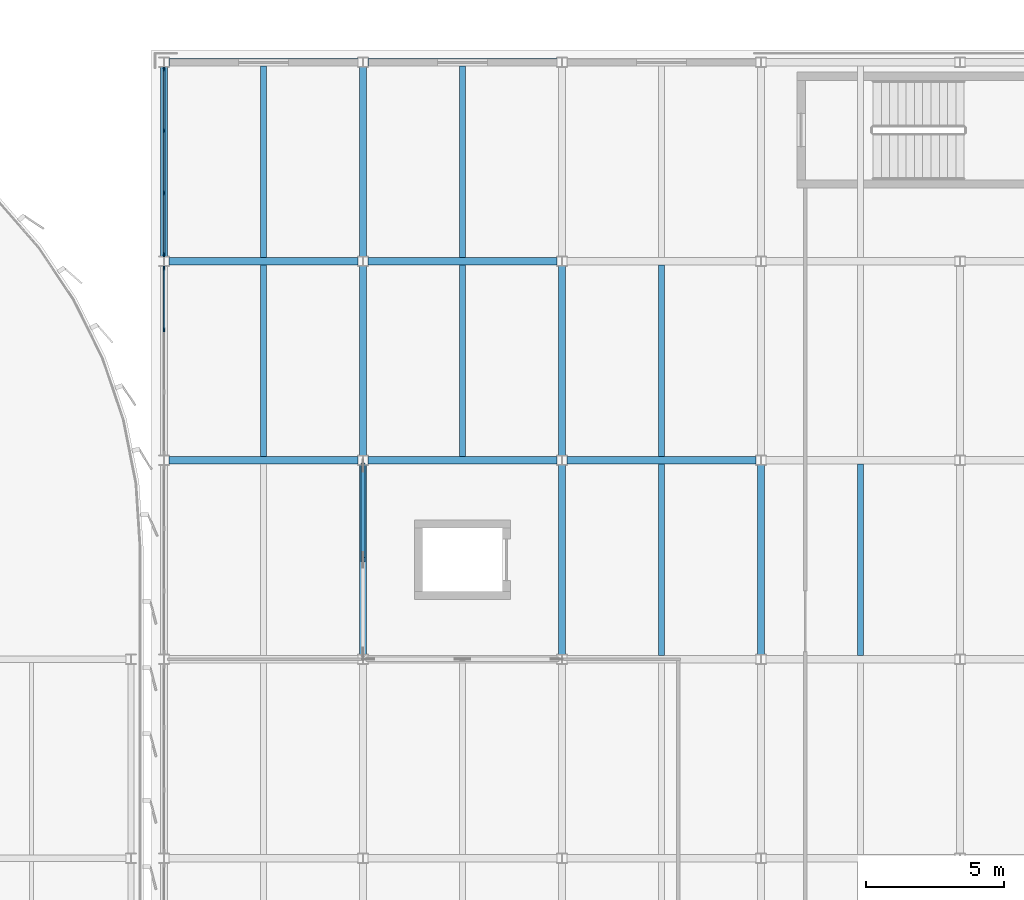
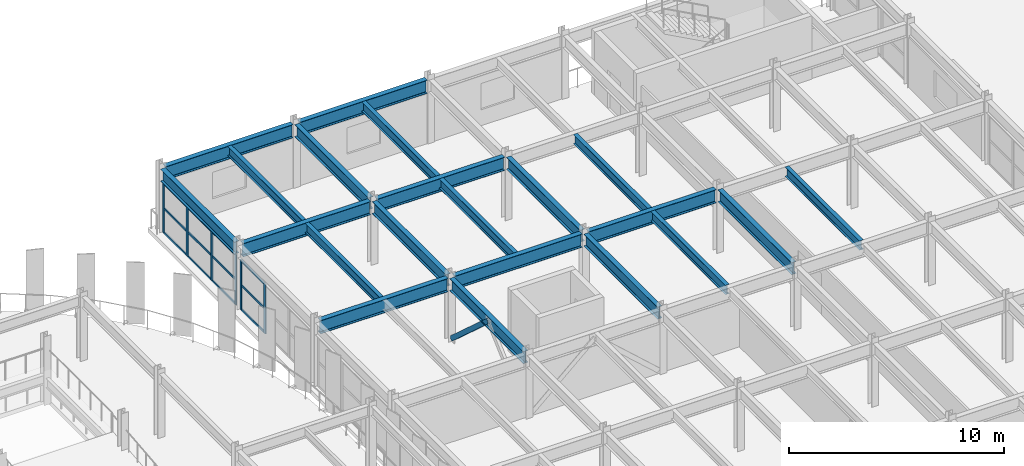
# One storey, part 36 of 80: 21 beams, 19 members, 2 elements without a shape of their own.
"""IFC4 building model written with IfcOpenShell, lengths in metres."""

from ifc_helpers import new_model, si_unit, direction, frame, origin, origin_2d, place, context, subcontext, project, spatial, rectangle, hollow_rectangle, i_section, extrude, material, material_profile, profile_set, type_object, element, aggregate, save


model = new_model("IFC4")

# Units and contexts
model_context = context("Model", 3, precision=1e-05, world=origin(), true_north=direction((0.0, 1.0)))
body_context = subcontext(model_context, "Body", "Model", "MODEL_VIEW")
ifc_project = project(units=[si_unit("LENGTHUNIT", "METRE"), si_unit("AREAUNIT", "SQUARE_METRE"), si_unit("VOLUMEUNIT", "CUBIC_METRE"), si_unit("PLANEANGLEUNIT", "RADIAN"), si_unit("MASSUNIT", "GRAM", prefix="KILO")], contexts=[model_context])

# Site, building, storey
site_placement = place(None, origin())
site = spatial("IfcSite", under=ifc_project, at=site_placement, CompositionType="ELEMENT")
building_placement = place(site_placement, origin())
building = spatial("IfcBuilding", under=site, at=building_placement, Name="Vaelcorin Mobility Hub", CompositionType="ELEMENT")
storey_placement = place(building_placement, frame((0.0, 0.0, 9.300048828125)))
storey = spatial("IfcBuildingStorey", under=building, at=storey_placement, Name="L02", CompositionType="ELEMENT", Elevation=9.300048828125)

# Beams
ifc_material_1 = material(Name="Steel ASTM A992 Grade 50", Category="steel")
ifc_material_profile_1 = material_profile(ifc_material_1, i_section(OverallWidth=0.2099609375, OverallDepth=0.532958984375, WebThickness=0.01025390625, FlangeThickness=0.015625, FilletRadius=0.013916015625, at=origin_2d()), Name="W21X62")
ifc_profile_set_1 = profile_set([ifc_material_profile_1], Name="Steel ASTM A992 Grade 50")
beam_type_1 = type_object("IfcBeamType", Name="BM-W21X62", PredefinedType="JOIST", material=ifc_profile_set_1)
for number, where, z_axis, x_axis, name in (
    (1, (157.199951171875, 105.73193359375, 3.333984375), (0.0, 1.0, 0.0), (-1.0, 0.0, 0.0), "L02 Beam V5-L02-J-01-13-1"),
    (2, (157.199951171875, 112.931884765625, 3.333984375), (0.0, 1.0, 0.0), (-1.0, 0.0, 0.0), "L02 Beam V5-L02-J-01-14-1"),
    (3, (164.39990234375, 105.73193359375, 3.333984375), (0.0, 1.0, 0.0), (-1.0, 0.0, 0.0), "L02 Beam V5-L02-J-02-13-1"),
    (4, (164.39990234375, 112.931884765625, 3.333984375), (0.0, 1.0, 0.0), (-1.0, 0.0, 0.0), "L02 Beam V5-L02-J-02-14-1"),
    (5, (171.60009765625, 98.531982421875, 3.333984375), (0.0, 1.0, 0.0), (-1.0, 0.0, 0.0), "L02 Beam V5-L02-J-03-12-1"),
    (6, (171.60009765625, 105.73193359375, 3.333984375), (0.0, 1.0, 0.0), (-1.0, 0.0, 0.0), "L02 Beam V5-L02-J-03-13-1"),
    (7, (178.800048828125, 98.531982421875, 3.333984375), (0.0, 1.0, 0.0), (-1.0, 0.0, 0.0), "L02 Beam V5-L02-J-04-12-1"),
):
    element("IfcBeam", number, at=place(storey_placement, frame(where, z_axis=z_axis, x_axis=x_axis)), inside=storey, type_object=beam_type_1, Name=name, PredefinedType="JOIST", context=body_context, shape_type="SweptSolid", body=[
        extrude(i_section(OverallWidth=0.2099609375, OverallDepth=0.532958984375, WebThickness=0.01025390625, FlangeThickness=0.015625, FilletRadius=0.013916015625, at=origin_2d()), origin(), (0.0, 0.0, 1.0), 6.93603515625),
    ])
ifc_material_profile_2 = material_profile(ifc_material_1, i_section(OverallWidth=0.25390625, OverallDepth=0.68310546875, WebThickness=0.012451171875, FlangeThickness=0.018798828125, FilletRadius=0.01611328125, at=origin_2d()), Name="W27X94")
ifc_profile_set_2 = profile_set([ifc_material_profile_2], Name="Steel ASTM A992 Grade 50")
beam_type_2 = type_object("IfcBeamType", Name="BM-W27X94", PredefinedType="BEAM", material=ifc_profile_set_2)
beam_1_placement = place(storey_placement, frame((153.60009765625, 112.97607421875, 3.258056640625), z_axis=(0.0, 1.0, 0.0), x_axis=(-1.0, 0.0, 0.0)))
element("IfcBeam", 8, at=beam_1_placement, inside=storey, type_object=beam_type_2, Name="L02 Beam V5-L02-GY-01-14", PredefinedType="BEAM", context=body_context, shape_type="SweptSolid", body=[
    extrude(i_section(OverallWidth=0.25390625, OverallDepth=0.68310546875, WebThickness=0.012451171875, FlangeThickness=0.018798828125, FilletRadius=0.01611328125, at=origin_2d()), origin(), (0.0, 0.0, 1.0), 6.847900390625),
])
for number, where, z_axis, x_axis, name in (
    (9, (160.800048828125, 98.575927734375, 3.258056640625), (0.0, 1.0, 0.0), (-1.0, 0.0, 0.0), "L02 Beam V5-L02-GY-02-12"),
    (10, (160.800048828125, 105.77587890625, 3.258056640625), (0.0, 1.0, 0.0), (-1.0, 0.0, 0.0), "L02 Beam V5-L02-GY-02-13"),
):
    element("IfcBeam", number, at=place(storey_placement, frame(where, z_axis=z_axis, x_axis=x_axis)), inside=storey, type_object=beam_type_2, Name=name, PredefinedType="BEAM", context=body_context, shape_type="SweptSolid", body=[
        extrude(i_section(OverallWidth=0.25390625, OverallDepth=0.68310546875, WebThickness=0.012451171875, FlangeThickness=0.018798828125, FilletRadius=0.01611328125, at=origin_2d()), origin(), (0.0, 0.0, 1.0), 6.84814453125),
    ])
beam_2_placement = place(storey_placement, frame((160.800048828125, 112.97607421875, 3.258056640625), z_axis=(0.0, 1.0, 0.0), x_axis=(-1.0, 0.0, 0.0)))
element("IfcBeam", 11, at=beam_2_placement, inside=storey, type_object=beam_type_2, Name="L02 Beam V5-L02-GY-02-14", PredefinedType="BEAM", context=body_context, shape_type="SweptSolid", body=[
    extrude(i_section(OverallWidth=0.25390625, OverallDepth=0.68310546875, WebThickness=0.012451171875, FlangeThickness=0.018798828125, FilletRadius=0.01611328125, at=origin_2d()), origin(), (0.0, 0.0, 1.0), 6.847900390625),
])
for number, where, z_axis, x_axis, name in (
    (12, (168.0, 98.575927734375, 3.258056640625), (0.0, 1.0, 0.0), (-1.0, 0.0, 0.0), "L02 Beam V5-L02-GY-03-12"),
    (13, (168.0, 105.77587890625, 3.258056640625), (0.0, 1.0, 0.0), (-1.0, 0.0, 0.0), "L02 Beam V5-L02-GY-03-13"),
    (14, (175.199951171875, 98.575927734375, 3.258056640625), (0.0, 1.0, 0.0), (-1.0, 0.0, 0.0), "L02 Beam V5-L02-GY-04-12"),
):
    element("IfcBeam", number, at=place(storey_placement, frame(where, z_axis=z_axis, x_axis=x_axis)), inside=storey, type_object=beam_type_2, Name=name, PredefinedType="BEAM", context=body_context, shape_type="SweptSolid", body=[
        extrude(i_section(OverallWidth=0.25390625, OverallDepth=0.68310546875, WebThickness=0.012451171875, FlangeThickness=0.018798828125, FilletRadius=0.01611328125, at=origin_2d()), origin(), (0.0, 0.0, 1.0), 6.84814453125),
    ])
ifc_material_profile_3 = material_profile(ifc_material_1, i_section(OverallWidth=0.26708984375, OverallDepth=0.757080078125, WebThickness=0.013916015625, FlangeThickness=0.019287109375, FilletRadius=0.01708984375, at=origin_2d()), Name="W30X108")
ifc_profile_set_3 = profile_set([ifc_material_profile_3], Name="Steel ASTM A992 Grade 50")
beam_type_3 = type_object("IfcBeamType", Name="BM-W30X108", PredefinedType="BEAM", material=ifc_profile_set_3)
beam_3_placement = place(storey_placement, frame((153.781982421875, 105.60009765625, 3.221923828125), z_axis=(1.0, 0.0, 0.0), x_axis=(0.0, 1.0, 0.0)))
element("IfcBeam", 15, at=beam_3_placement, inside=storey, type_object=beam_type_3, Name="L02 Beam V5-L02-GX-13-01", PredefinedType="BEAM", context=body_context, shape_type="SweptSolid", body=[
    extrude(i_section(OverallWidth=0.26708984375, OverallDepth=0.757080078125, WebThickness=0.013916015625, FlangeThickness=0.019287109375, FilletRadius=0.01708984375, at=origin_2d()), origin(), (0.0, 0.0, 1.0), 6.8359375),
])
for number, where, z_axis, x_axis, name in (
    (16, (160.98193359375, 105.60009765625, 3.221923828125), (1.0, 0.0, 0.0), (0.0, 1.0, 0.0), "L02 Beam V5-L02-GX-13-02"),
    (17, (168.181884765625, 105.60009765625, 3.221923828125), (1.0, 0.0, 0.0), (0.0, 1.0, 0.0), "L02 Beam V5-L02-GX-13-03"),
):
    element("IfcBeam", number, at=place(storey_placement, frame(where, z_axis=z_axis, x_axis=x_axis)), inside=storey, type_object=beam_type_3, Name=name, PredefinedType="BEAM", context=body_context, shape_type="SweptSolid", body=[
        extrude(i_section(OverallWidth=0.26708984375, OverallDepth=0.757080078125, WebThickness=0.013916015625, FlangeThickness=0.019287109375, FilletRadius=0.01708984375, at=origin_2d()), origin(), (0.0, 0.0, 1.0), 6.836181640625),
    ])
beam_4_placement = place(storey_placement, frame((153.781982421875, 112.800048828125, 3.221923828125), z_axis=(1.0, 0.0, 0.0), x_axis=(0.0, 1.0, 0.0)))
element("IfcBeam", 18, at=beam_4_placement, inside=storey, type_object=beam_type_3, Name="L02 Beam V5-L02-GX-14-01", PredefinedType="BEAM", context=body_context, shape_type="SweptSolid", body=[
    extrude(i_section(OverallWidth=0.26708984375, OverallDepth=0.757080078125, WebThickness=0.013916015625, FlangeThickness=0.019287109375, FilletRadius=0.01708984375, at=origin_2d()), origin(), (0.0, 0.0, 1.0), 6.8359375),
])
beam_5_placement = place(storey_placement, frame((160.98193359375, 112.800048828125, 3.221923828125), z_axis=(1.0, 0.0, 0.0), x_axis=(0.0, 1.0, 0.0)))
element("IfcBeam", 19, at=beam_5_placement, inside=storey, type_object=beam_type_3, Name="L02 Beam V5-L02-GX-14-02", PredefinedType="BEAM", context=body_context, shape_type="SweptSolid", body=[
    extrude(i_section(OverallWidth=0.26708984375, OverallDepth=0.757080078125, WebThickness=0.013916015625, FlangeThickness=0.019287109375, FilletRadius=0.01708984375, at=origin_2d()), origin(), (0.0, 0.0, 1.0), 6.836181640625),
])
beam_6_placement = place(storey_placement, frame((153.781982421875, 120.0, 3.221923828125), z_axis=(1.0, 0.0, 0.0), x_axis=(0.0, 1.0, 0.0)))
element("IfcBeam", 20, at=beam_6_placement, inside=storey, type_object=beam_type_3, Name="L02 Beam V5-L02-GX-15-01", PredefinedType="BEAM", context=body_context, shape_type="SweptSolid", body=[
    extrude(i_section(OverallWidth=0.26708984375, OverallDepth=0.757080078125, WebThickness=0.013916015625, FlangeThickness=0.019287109375, FilletRadius=0.01708984375, at=origin_2d()), origin(), (0.0, 0.0, 1.0), 6.8359375),
])
beam_7_placement = place(storey_placement, frame((160.98193359375, 120.0, 3.221923828125), z_axis=(1.0, 0.0, 0.0), x_axis=(0.0, 1.0, 0.0)))
element("IfcBeam", 21, at=beam_7_placement, inside=storey, type_object=beam_type_3, Name="L02 Beam V5-L02-GX-15-02", PredefinedType="BEAM", context=body_context, shape_type="SweptSolid", body=[
    extrude(i_section(OverallWidth=0.26708984375, OverallDepth=0.757080078125, WebThickness=0.013916015625, FlangeThickness=0.019287109375, FilletRadius=0.01708984375, at=origin_2d()), origin(), (0.0, 0.0, 1.0), 6.836181640625),
])

# Member
ifc_material_2 = material(Name="Steel ASTM A500 Grade C", Category="steel")
ifc_material_profile_4 = material_profile(ifc_material_2, hollow_rectangle(XDim=0.15234375, YDim=0.25390625, WallThickness=0.01171875, at=origin_2d()), Name="HSS10X6X0.500")
ifc_profile_set_4 = profile_set([ifc_material_profile_4], Name="Steel ASTM A500 Grade C")
member_type_1 = type_object("IfcMemberType", Name="BR-SCBF-10X6", PredefinedType="BRACE", material=ifc_profile_set_4)
member_1_placement = place(storey_placement, frame((160.800048828125, 105.409912109375, 0.179931640625), z_axis=(0.0, -0.743169783144, 0.669102887022), x_axis=(1.0, 0.0, 0.0)))
element("IfcMember", 22, at=member_1_placement, inside=storey, type_object=member_type_1, Name="SCBF Chevron Brace V5-BY2-L02-B", PredefinedType="BRACE", context=body_context, shape_type="SweptSolid", body=[
    extrude(hollow_rectangle(XDim=0.15234375, YDim=0.25390625, WallThickness=0.01171875, at=origin_2d()), origin(), (0.0, 0.0, 1.0), 4.58837890625),
])

# Curtain wall, members
ifc_material_3 = material(Name="Anodised aluminium 6063-T6", Category="aluminium")
curtain_wall_type = type_object("IfcCurtainWallType", Name="CW-MOB-A", PredefinedType="NOTDEFINED", material=ifc_material_3)
curtain_wall_1_placement = place(storey_placement, origin())
curtain_wall_1 = element("IfcCurtainWall", 23, at=curtain_wall_1_placement, inside=storey, type_object=curtain_wall_type, Name="L02 Curtain Wall CW-V5-L02-WN-05", PredefinedType="NOTDEFINED")
ifc_material_profile_5 = material_profile(ifc_material_3, rectangle(XDim=0.06005859375, YDim=0.159912109375, at=origin_2d()), Name="ALU-M60X160")
ifc_profile_set_5 = profile_set([ifc_material_profile_5], Name="Anodised aluminium 6063-T6")
member_type_2 = type_object("IfcMemberType", Name="CW-MULL-160", PredefinedType="MULLION", material=ifc_profile_set_5)
member_2_placement = place(storey_placement, frame((153.60009765625, 110.32666015625, 0.0), z_axis=(0.0, 0.0, 1.0), x_axis=(-1.0, 0.0, 0.0)))
member_2 = element("IfcMember", 24, at=member_2_placement, type_object=member_type_2, Name="CW7 mullion 3", PredefinedType="MULLION", context=body_context, shape_type="SweptSolid", body=[
    extrude(rectangle(XDim=0.06005859375, YDim=0.159912109375, at=origin_2d()), origin(), (0.0, 0.0, 1.0), 2.827880859375),
])
member_3_placement = place(storey_placement, frame((153.60009765625, 112.550048828125, 0.0), z_axis=(0.0, 0.0, 1.0), x_axis=(-1.0, 0.0, 0.0)))
member_3 = element("IfcMember", 25, at=member_3_placement, type_object=member_type_2, Name="CW7 mullion 4", PredefinedType="MULLION", context=body_context, shape_type="SweptSolid", body=[
    extrude(rectangle(XDim=0.06005859375, YDim=0.159912109375, at=origin_2d()), origin(), (0.0, 0.0, 1.0), 2.827880859375),
])

curtain_wall_2_placement = place(storey_placement, origin())
curtain_wall_2 = element("IfcCurtainWall", 26, at=curtain_wall_2_placement, inside=storey, type_object=curtain_wall_type, Name="L02 Curtain Wall CW-V5-L02-WN-06", PredefinedType="NOTDEFINED")
member_4_placement = place(storey_placement, frame((153.60009765625, 113.050048828125, 0.0), z_axis=(0.0, 0.0, 1.0), x_axis=(-1.0, 0.0, 0.0)))
member_4 = element("IfcMember", 27, at=member_4_placement, type_object=member_type_2, Name="CW7 mullion 1", PredefinedType="MULLION", context=body_context, shape_type="SweptSolid", body=[
    extrude(rectangle(XDim=0.06005859375, YDim=0.159912109375, at=origin_2d()), origin(), (0.0, 0.0, 1.0), 2.827880859375),
])
member_5_placement = place(storey_placement, frame((153.60009765625, 115.2734375, 0.0), z_axis=(0.0, 0.0, 1.0), x_axis=(-1.0, 0.0, 0.0)))
member_5 = element("IfcMember", 28, at=member_5_placement, type_object=member_type_2, Name="CW7 mullion 2", PredefinedType="MULLION", context=body_context, shape_type="SweptSolid", body=[
    extrude(rectangle(XDim=0.06005859375, YDim=0.159912109375, at=origin_2d()), origin(), (0.0, 0.0, 1.0), 2.827880859375),
])
member_6_placement = place(storey_placement, frame((153.60009765625, 117.526611328125, 0.0), z_axis=(0.0, 0.0, 1.0), x_axis=(-1.0, 0.0, 0.0)))
member_6 = element("IfcMember", 29, at=member_6_placement, type_object=member_type_2, Name="CW7 mullion 3", PredefinedType="MULLION", context=body_context, shape_type="SweptSolid", body=[
    extrude(rectangle(XDim=0.06005859375, YDim=0.159912109375, at=origin_2d()), origin(), (0.0, 0.0, 1.0), 2.827880859375),
])
member_7_placement = place(storey_placement, frame((153.60009765625, 119.75, 0.0), z_axis=(0.0, 0.0, 1.0), x_axis=(-1.0, 0.0, 0.0)))
member_7 = element("IfcMember", 30, at=member_7_placement, type_object=member_type_2, Name="CW7 mullion 4", PredefinedType="MULLION", context=body_context, shape_type="SweptSolid", body=[
    extrude(rectangle(XDim=0.06005859375, YDim=0.159912109375, at=origin_2d()), origin(), (0.0, 0.0, 1.0), 2.827880859375),
])

# Member
ifc_material_profile_6 = material_profile(ifc_material_3, rectangle(XDim=0.06005859375, YDim=0.1201171875, at=origin_2d()), Name="ALU-T60X120")
ifc_profile_set_6 = profile_set([ifc_material_profile_6], Name="Anodised aluminium 6063-T6")
member_type_3 = type_object("IfcMemberType", Name="CW-TRAN-140", PredefinedType="USERDEFINED", material=ifc_profile_set_6)
member_8_placement = place(storey_placement, frame((153.60009765625, 110.356689453125, 0.030029296875), z_axis=(0.0, 1.0, 0.0), x_axis=(-1.0, 0.0, 0.0)))
member_8 = element("IfcMember", 31, at=member_8_placement, type_object=member_type_3, Name="CW7 transom 3.1", ObjectType="TRANSOM", PredefinedType="USERDEFINED", context=body_context, shape_type="SweptSolid", body=[
    extrude(rectangle(XDim=0.06005859375, YDim=0.1201171875, at=origin_2d()), origin(), (0.0, 0.0, 1.0), 2.163330078125),
])

member_9_placement = place(storey_placement, frame((153.60009765625, 110.356689453125, 1.4140625), z_axis=(0.0, 1.0, 0.0), x_axis=(-1.0, 0.0, 0.0)))
member_9 = element("IfcMember", 32, at=member_9_placement, type_object=member_type_3, Name="CW7 transom 3.2", ObjectType="TRANSOM", PredefinedType="USERDEFINED", context=body_context, shape_type="SweptSolid", body=[
    extrude(rectangle(XDim=0.06005859375, YDim=0.1201171875, at=origin_2d()), origin(), (0.0, 0.0, 1.0), 2.163330078125),
])

member_10_placement = place(storey_placement, frame((153.60009765625, 110.356689453125, 2.7978515625), z_axis=(0.0, 1.0, 0.0), x_axis=(-1.0, 0.0, 0.0)))
member_10 = element("IfcMember", 33, at=member_10_placement, type_object=member_type_3, Name="CW7 transom 3.3", ObjectType="TRANSOM", PredefinedType="USERDEFINED", context=body_context, shape_type="SweptSolid", body=[
    extrude(rectangle(XDim=0.06005859375, YDim=0.1201171875, at=origin_2d()), origin(), (0.0, 0.0, 1.0), 2.163330078125),
])

aggregate(curtain_wall_1, [member_2, member_3, member_8, member_9, member_10])

member_11_placement = place(storey_placement, frame((153.60009765625, 113.080078125, 0.030029296875), z_axis=(0.0, 1.0, 0.0), x_axis=(-1.0, 0.0, 0.0)))
member_11 = element("IfcMember", 34, at=member_11_placement, type_object=member_type_3, Name="CW7 transom 1.1", ObjectType="TRANSOM", PredefinedType="USERDEFINED", context=body_context, shape_type="SweptSolid", body=[
    extrude(rectangle(XDim=0.06005859375, YDim=0.1201171875, at=origin_2d()), origin(), (0.0, 0.0, 1.0), 2.163330078125),
])

member_12_placement = place(storey_placement, frame((153.60009765625, 113.080078125, 1.4140625), z_axis=(0.0, 1.0, 0.0), x_axis=(-1.0, 0.0, 0.0)))
member_12 = element("IfcMember", 35, at=member_12_placement, type_object=member_type_3, Name="CW7 transom 1.2", ObjectType="TRANSOM", PredefinedType="USERDEFINED", context=body_context, shape_type="SweptSolid", body=[
    extrude(rectangle(XDim=0.06005859375, YDim=0.1201171875, at=origin_2d()), origin(), (0.0, 0.0, 1.0), 2.163330078125),
])

member_13_placement = place(storey_placement, frame((153.60009765625, 113.080078125, 2.7978515625), z_axis=(0.0, 1.0, 0.0), x_axis=(-1.0, 0.0, 0.0)))
member_13 = element("IfcMember", 36, at=member_13_placement, type_object=member_type_3, Name="CW7 transom 1.3", ObjectType="TRANSOM", PredefinedType="USERDEFINED", context=body_context, shape_type="SweptSolid", body=[
    extrude(rectangle(XDim=0.06005859375, YDim=0.1201171875, at=origin_2d()), origin(), (0.0, 0.0, 1.0), 2.163330078125),
])

member_14_placement = place(storey_placement, frame((153.60009765625, 115.30322265625, 0.030029296875), z_axis=(0.0, 1.0, 0.0), x_axis=(-1.0, 0.0, 0.0)))
member_14 = element("IfcMember", 37, at=member_14_placement, type_object=member_type_3, Name="CW7 transom 2.1", ObjectType="TRANSOM", PredefinedType="USERDEFINED", context=body_context, shape_type="SweptSolid", body=[
    extrude(rectangle(XDim=0.06005859375, YDim=0.1201171875, at=origin_2d()), origin(), (0.0, 0.0, 1.0), 2.193359375),
])

member_15_placement = place(storey_placement, frame((153.60009765625, 115.30322265625, 1.4140625), z_axis=(0.0, 1.0, 0.0), x_axis=(-1.0, 0.0, 0.0)))
member_15 = element("IfcMember", 38, at=member_15_placement, type_object=member_type_3, Name="CW7 transom 2.2", ObjectType="TRANSOM", PredefinedType="USERDEFINED", context=body_context, shape_type="SweptSolid", body=[
    extrude(rectangle(XDim=0.06005859375, YDim=0.1201171875, at=origin_2d()), origin(), (0.0, 0.0, 1.0), 2.193359375),
])

member_16_placement = place(storey_placement, frame((153.60009765625, 115.30322265625, 2.7978515625), z_axis=(0.0, 1.0, 0.0), x_axis=(-1.0, 0.0, 0.0)))
member_16 = element("IfcMember", 39, at=member_16_placement, type_object=member_type_3, Name="CW7 transom 2.3", ObjectType="TRANSOM", PredefinedType="USERDEFINED", context=body_context, shape_type="SweptSolid", body=[
    extrude(rectangle(XDim=0.06005859375, YDim=0.1201171875, at=origin_2d()), origin(), (0.0, 0.0, 1.0), 2.193359375),
])

member_17_placement = place(storey_placement, frame((153.60009765625, 117.556640625, 0.030029296875), z_axis=(0.0, 1.0, 0.0), x_axis=(-1.0, 0.0, 0.0)))
member_17 = element("IfcMember", 40, at=member_17_placement, type_object=member_type_3, Name="CW7 transom 3.1", ObjectType="TRANSOM", PredefinedType="USERDEFINED", context=body_context, shape_type="SweptSolid", body=[
    extrude(rectangle(XDim=0.06005859375, YDim=0.1201171875, at=origin_2d()), origin(), (0.0, 0.0, 1.0), 2.163330078125),
])

member_18_placement = place(storey_placement, frame((153.60009765625, 117.556640625, 1.4140625), z_axis=(0.0, 1.0, 0.0), x_axis=(-1.0, 0.0, 0.0)))
member_18 = element("IfcMember", 41, at=member_18_placement, type_object=member_type_3, Name="CW7 transom 3.2", ObjectType="TRANSOM", PredefinedType="USERDEFINED", context=body_context, shape_type="SweptSolid", body=[
    extrude(rectangle(XDim=0.06005859375, YDim=0.1201171875, at=origin_2d()), origin(), (0.0, 0.0, 1.0), 2.163330078125),
])

member_19_placement = place(storey_placement, frame((153.60009765625, 117.556640625, 2.7978515625), z_axis=(0.0, 1.0, 0.0), x_axis=(-1.0, 0.0, 0.0)))
member_19 = element("IfcMember", 42, at=member_19_placement, type_object=member_type_3, Name="CW7 transom 3.3", ObjectType="TRANSOM", PredefinedType="USERDEFINED", context=body_context, shape_type="SweptSolid", body=[
    extrude(rectangle(XDim=0.06005859375, YDim=0.1201171875, at=origin_2d()), origin(), (0.0, 0.0, 1.0), 2.163330078125),
])

aggregate(curtain_wall_2, [member_4, member_5, member_6, member_7, member_11, member_12, member_13, member_14, member_15, member_16, member_17, member_18, member_19])

save(model, "model.ifc")
